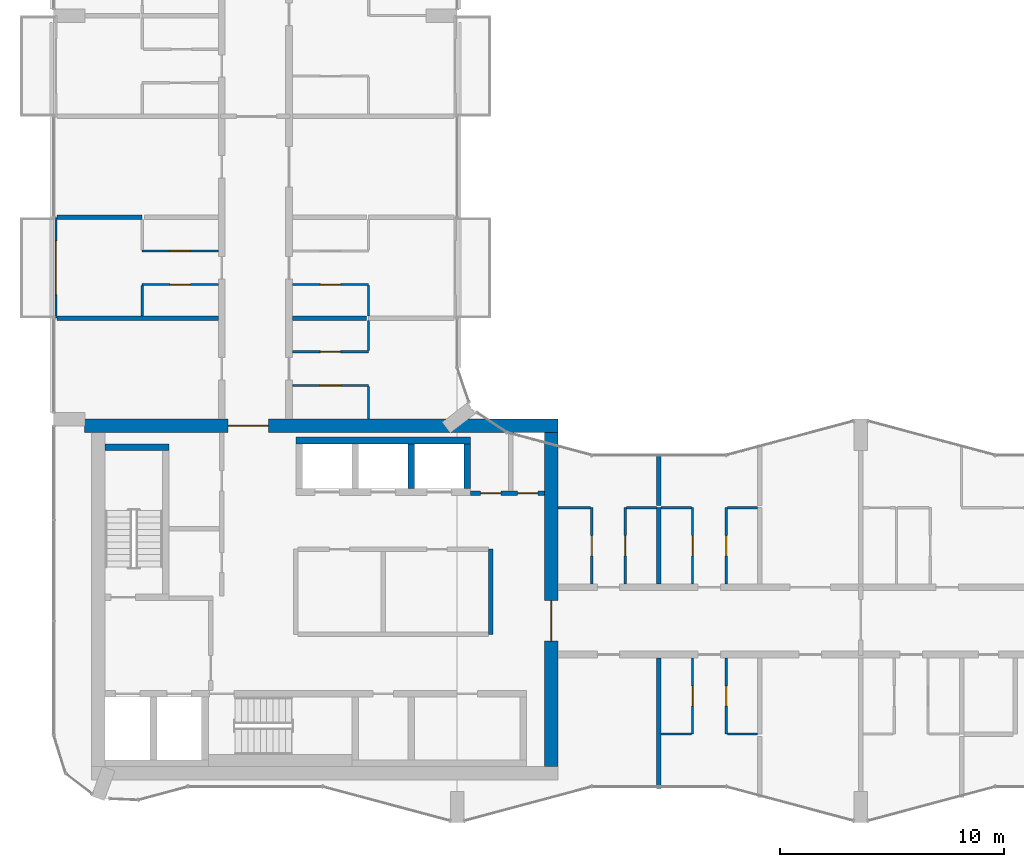
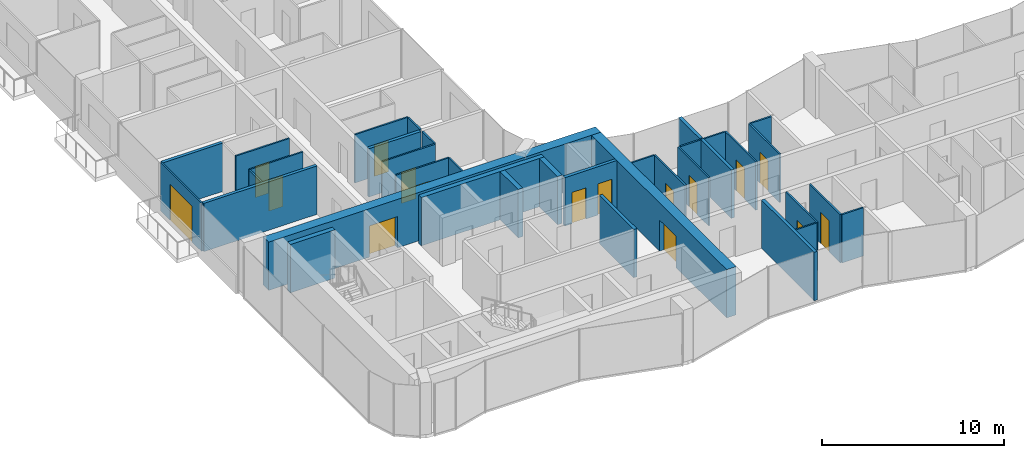
# One storey, part 10 of 16: 36 walls, 16 doors, 16 openings.
"""IFC4 building model written with IfcOpenShell, lengths in metres."""

from ifc_helpers import new_model, si_unit, direction, frame, frame_2d, origin, place, context, subcontext, project, spatial, rectangle, extrude, material, layer, layer_set, type_object, element, fill, save


model = new_model("IFC4")

# Units and contexts
model_context = context("Model", 3, precision=1e-05, world=origin(), true_north=direction((0.0, 1.0)))
body_context = subcontext(model_context, "Body", "Model", "MODEL_VIEW")
ifc_project = project(units=[si_unit("LENGTHUNIT", "METRE"), si_unit("AREAUNIT", "SQUARE_METRE"), si_unit("VOLUMEUNIT", "CUBIC_METRE"), si_unit("PLANEANGLEUNIT", "RADIAN"), si_unit("MASSUNIT", "GRAM", prefix="KILO")], contexts=[model_context])

# Site, building, storey
site_placement = place(None, origin())
site = spatial("IfcSite", under=ifc_project, at=site_placement, CompositionType="ELEMENT")
building_placement = place(site_placement, origin())
building = spatial("IfcBuilding", under=site, at=building_placement, Name="Plateau Cross Towers", CompositionType="ELEMENT")
storey_placement = place(building_placement, frame((0.0, 0.0, 163.89990234375)))
storey = spatial("IfcBuildingStorey", under=building, at=storey_placement, Name="L42", CompositionType="ELEMENT", Elevation=163.89990234375)

# Wall, opening, door
ifc_material_1 = material(Name="Aluminium framed glazing", Category="aluminium")
ifc_layer_1 = layer(ifc_material_1, 0.10009765625)
ifc_layer_set_1 = layer_set([ifc_layer_1], Name="Aluminium framed glazing")
wall_type_1 = type_object("IfcWallType", Name="Balcony screen wall 100", PredefinedType="STANDARD", material=ifc_layer_set_1)
wall_1_placement = place(storey_placement, frame((0.10009765625, 22.5, 0.0), z_axis=(0.0, 0.0, 1.0), x_axis=(0.0, 1.0, 0.0)))
wall_1 = element("IfcWall", 1, at=wall_1_placement, inside=storey, type_object=wall_type_1, Name="Balcony screen wall A-BAL-L42-01", PredefinedType="STANDARD", context=body_context, shape_type="SweptSolid", body=[
    extrude(rectangle(XDim=4.5, YDim=0.10009765625, at=frame_2d((2.25, 0.0))), origin(), (0.0, 0.0, 1.0), 3.25),
])
opening_1_placement = place(wall_1_placement, frame((1.050048828125, 0.0, 0.0)))
opening_1 = element("IfcOpeningElement", 2, at=opening_1_placement, cuts=wall_1, Name="Opening D-B24", PredefinedType="OPENING", context=body_context, shape_type="SweptSolid", body=[
    extrude(rectangle(XDim=2.39990234375, YDim=2.39990234375, at=frame_2d((1.199951171875, 1.199951171875))), frame((0.0, 0.06005859375, 0.0), z_axis=(0.0, -1.0, 0.0), x_axis=(1.0, 0.0, 0.0)), (0.0, 0.0, 1.0), 0.1201171875),
])
ifc_material_2 = material(Name="Aluminium frame, double glazing", Category="aluminium")
door_type_1 = type_object("IfcDoorType", Name="Balcony sliding door 2400", OperationType="NOTDEFINED", PredefinedType="DOOR", material=ifc_material_2)
door_1_placement = place(opening_1_placement, origin())
door_1 = element("IfcDoor", 3, at=door_1_placement, inside=storey, type_object=door_type_1, Name="Balcony door A-BAL-L42-01", OperationType="SINGLE_SWING_LEFT", OverallHeight=2.39990234375, OverallWidth=2.39990234375, PredefinedType="DOOR", context=body_context, shape_type="SweptSolid", body=[
    extrude(rectangle(XDim=2.39990234375, YDim=2.39990234375, at=frame_2d((1.199951171875, 1.199951171875))), frame((0.0, 0.02490234375, 0.0), z_axis=(0.0, -1.0, 0.0), x_axis=(1.0, 0.0, 0.0)), (0.0, 0.0, 1.0), 0.050048828125),
])
fill(opening_1, door_1)

# Wall
ifc_material_3 = material(Name="Concrete block, plastered both sides", Category="concrete")
ifc_layer_2 = layer(ifc_material_3, 0.199951171875)
ifc_layer_set_2 = layer_set([ifc_layer_2], Name="Concrete block, plastered both sides")
wall_type_2 = type_object("IfcWallType", Name="Core partition 200", PredefinedType="PARTITIONING", material=ifc_layer_set_2)
wall_2_placement = place(storey_placement, frame((19.5, 8.39990234375, 0.0), z_axis=(0.0, 0.0, 1.0), x_axis=(0.0, 1.0, 0.0)))
element("IfcWall", 4, at=wall_2_placement, inside=storey, type_object=wall_type_2, Name="Core partition", PredefinedType="PARTITIONING", context=body_context, shape_type="SweptSolid", body=[
    extrude(rectangle(XDim=3.800048828125, YDim=0.199951171875, at=frame_2d((1.89990234375, 0.0))), origin(), (0.0, 0.0, 1.0), 3.25),
])

# Wall, openings, doors
wall_3_placement = place(storey_placement, frame((18.60009765625, 14.699951171875, 0.0), z_axis=(0.0, 0.0, 1.0), x_axis=(1.0, 0.0, 0.0)))
wall_3 = element("IfcWall", 5, at=wall_3_placement, inside=storey, type_object=wall_type_2, Name="Core partition", PredefinedType="PARTITIONING", context=body_context, shape_type="SweptSolid", body=[
    extrude(rectangle(XDim=3.2998046875, YDim=0.199951171875, at=frame_2d((1.64990234375, 0.0))), origin(), (0.0, 0.0, 1.0), 3.25),
])
opening_2_placement = place(wall_3_placement, frame((0.449951171875, 0.0, 0.0)))
opening_2 = element("IfcOpeningElement", 6, at=opening_2_placement, cuts=wall_3, Name="Opening RD2", PredefinedType="OPENING", context=body_context, shape_type="SweptSolid", body=[
    extrude(rectangle(XDim=0.89990234375, YDim=2.10009765625, at=frame_2d((0.449951171875, 1.050048828125))), frame((0.0, 0.10986328125, 0.0), z_axis=(0.0, -1.0, 0.0), x_axis=(1.0, 0.0, 0.0)), (0.0, 0.0, 1.0), 0.219970703125),
])
opening_3_placement = place(wall_3_placement, frame((2.10009765625, 0.0, 0.0)))
opening_3 = element("IfcOpeningElement", 7, at=opening_3_placement, cuts=wall_3, Name="Opening RD2", PredefinedType="OPENING", context=body_context, shape_type="SweptSolid", body=[
    extrude(rectangle(XDim=0.89990234375, YDim=2.10009765625, at=frame_2d((0.449951171875, 1.050048828125))), frame((0.0, 0.10986328125, 0.0), z_axis=(0.0, -1.0, 0.0), x_axis=(1.0, 0.0, 0.0)), (0.0, 0.0, 1.0), 0.219970703125),
])
ifc_material_4 = material(Name="Steel, fire-resisting leaf", Category="steel")
door_type_2 = type_object("IfcDoorType", Name="Core riser door 900", OperationType="NOTDEFINED", PredefinedType="DOOR", material=ifc_material_4)
door_2_placement = place(opening_2_placement, origin())
door_2 = element("IfcDoor", 8, at=door_2_placement, inside=storey, type_object=door_type_2, Name="Core riser door RD2", OperationType="SINGLE_SWING_LEFT", OverallHeight=2.10009765625, OverallWidth=0.89990234375, PredefinedType="DOOR", context=body_context, shape_type="SweptSolid", body=[
    extrude(rectangle(XDim=0.89990234375, YDim=2.10009765625, at=frame_2d((0.449951171875, 1.050048828125))), frame((0.0, 0.02490234375, 0.0), z_axis=(0.0, -1.0, 0.0), x_axis=(1.0, 0.0, 0.0)), (0.0, 0.0, 1.0), 0.050048828125),
])
fill(opening_2, door_2)
door_3_placement = place(opening_3_placement, origin())
door_3 = element("IfcDoor", 9, at=door_3_placement, inside=storey, type_object=door_type_2, Name="Core riser door RD2", OperationType="SINGLE_SWING_LEFT", OverallHeight=2.10009765625, OverallWidth=0.89990234375, PredefinedType="DOOR", context=body_context, shape_type="SweptSolid", body=[
    extrude(rectangle(XDim=0.89990234375, YDim=2.10009765625, at=frame_2d((0.449951171875, 1.050048828125))), frame((0.0, 0.02490234375, 0.0), z_axis=(0.0, -1.0, 0.0), x_axis=(1.0, 0.0, 0.0)), (0.0, 0.0, 1.0), 0.050048828125),
])
fill(opening_3, door_3)

# Walls
ifc_material_5 = material(Name="Concrete C60/75", Category="concrete")
ifc_layer_3 = layer(ifc_material_5, 0.300048828125)
ifc_layer_set_3 = layer_set([ifc_layer_3], Name="Concrete C60/75")
wall_type_3 = type_object("IfcWallType", Name="Core shaft wall 300", PredefinedType="SHEAR", material=ifc_layer_set_3)
wall_4_placement = place(storey_placement, frame((2.300048828125, 16.75, 0.0), z_axis=(0.0, 0.0, 1.0), x_axis=(1.0, 0.0, 0.0)))
element("IfcWall", 10, at=wall_4_placement, inside=storey, type_object=wall_type_3, Name="A-st1-N@L42", PredefinedType="SHEAR", context=body_context, shape_type="SweptSolid", body=[
    extrude(rectangle(XDim=2.849853515625, YDim=0.300048828125, at=frame_2d((1.4248046875, 0.0))), origin(), (0.0, 0.0, 1.0), 3.25),
])
wall_5_placement = place(storey_placement, frame((10.800048828125, 17.050048828125, 0.0), z_axis=(0.0, 0.0, 1.0), x_axis=(1.0, 0.0, 0.0)))
element("IfcWall", 11, at=wall_5_placement, inside=storey, type_object=wall_type_3, Name="A-nb-back@L42", PredefinedType="SHEAR", context=body_context, shape_type="SweptSolid", body=[
    extrude(rectangle(XDim=7.800048828125, YDim=0.300048828125, at=frame_2d((3.89990234375, 0.0))), origin(), (0.0, 0.0, 1.0), 3.25),
])
for number, where, z_axis, x_axis, name in (
    (12, (15.949951171875, 14.89990234375, 0.0), (0.0, 0.0, 1.0), (0.0, 1.0, 0.0), "A-nb-v3@L42"),
    (13, (18.449951171875, 14.89990234375, 0.0), (0.0, 0.0, 1.0), (0.0, 1.0, 0.0), "A-nb-v4@L42"),
):
    element("IfcWall", number, at=place(storey_placement, frame(where, z_axis=z_axis, x_axis=x_axis)), inside=storey, type_object=wall_type_3, Name=name, PredefinedType="SHEAR", context=body_context, shape_type="SweptSolid", body=[
        extrude(rectangle(XDim=2.0, YDim=0.300048828125, at=frame_2d((1.0, 0.0))), origin(), (0.0, 0.0, 1.0), 3.25),
    ])

# Wall, opening, door
ifc_layer_4 = layer(ifc_material_5, 0.60009765625)
ifc_layer_set_4 = layer_set([ifc_layer_4], Name="Concrete C60/75")
wall_type_4 = type_object("IfcWallType", Name="Core shell wall 600", PredefinedType="SHEAR", material=ifc_layer_set_4)
wall_6_placement = place(storey_placement, frame((1.3798828125, 17.699951171875, 0.0), z_axis=(0.0, 0.0, 1.0), x_axis=(1.0, 0.0, 0.0)))
wall_6 = element("IfcWall", 14, at=wall_6_placement, inside=storey, type_object=wall_type_4, Name="A-core-N@L42", PredefinedType="SHEAR", context=body_context, shape_type="SweptSolid", body=[
    extrude(rectangle(XDim=21.1201171875, YDim=0.60009765625, at=frame_2d((10.56005859375, 0.0))), origin(), (0.0, 0.0, 1.0), 3.25),
])
opening_4_placement = place(wall_6_placement, frame((6.39990234375, 0.0, 0.0)))
opening_4 = element("IfcOpeningElement", 15, at=opening_4_placement, cuts=wall_6, Name="Opening CD", PredefinedType="OPENING", context=body_context, shape_type="SweptSolid", body=[
    extrude(rectangle(XDim=1.800048828125, YDim=2.10009765625, at=frame_2d((0.89990234375, 1.050048828125))), frame((0.0, 0.31005859375, 0.0), z_axis=(0.0, -1.0, 0.0), x_axis=(1.0, 0.0, 0.0)), (0.0, 0.0, 1.0), 0.6201171875),
])
ifc_material_6 = material(Name="Steel, fire-resisting leaves", Category="steel")
door_type_3 = type_object("IfcDoorType", Name="Corridor door pair 1800", OperationType="NOTDEFINED", PredefinedType="DOOR", material=ifc_material_6)
door_4_placement = place(opening_4_placement, origin())
door_4 = element("IfcDoor", 16, at=door_4_placement, inside=storey, type_object=door_type_3, Name="Corridor door pair CD", OperationType="DOUBLE_DOOR_SINGLE_SWING", OverallHeight=2.10009765625, OverallWidth=1.800048828125, PredefinedType="DOOR", context=body_context, shape_type="SweptSolid", body=[
    extrude(rectangle(XDim=1.800048828125, YDim=2.10009765625, at=frame_2d((0.89990234375, 1.050048828125))), frame((0.0, 0.02490234375, 0.0), z_axis=(0.0, -1.0, 0.0), x_axis=(1.0, 0.0, 0.0)), (0.0, 0.0, 1.0), 0.050048828125),
])
fill(opening_4, door_4)

wall_7_placement = place(storey_placement, frame((22.199951171875, 2.5, 0.0), z_axis=(0.0, 0.0, 1.0), x_axis=(0.0, 1.0, 0.0)))
wall_7 = element("IfcWall", 17, at=wall_7_placement, inside=storey, type_object=wall_type_4, Name="A-core-E@L42", PredefinedType="SHEAR", context=body_context, shape_type="SweptSolid", body=[
    extrude(rectangle(XDim=14.89990234375, YDim=0.60009765625, at=frame_2d((7.449951171875, 0.0))), origin(), (0.0, 0.0, 1.0), 3.25),
])
opening_5_placement = place(wall_7_placement, frame((5.60009765625, 0.0, 0.0)))
opening_5 = element("IfcOpeningElement", 18, at=opening_5_placement, cuts=wall_7, Name="Opening CD", PredefinedType="OPENING", context=body_context, shape_type="SweptSolid", body=[
    extrude(rectangle(XDim=1.800048828125, YDim=2.10009765625, at=frame_2d((0.89990234375, 1.050048828125))), frame((0.0, 0.31005859375, 0.0), z_axis=(0.0, -1.0, 0.0), x_axis=(1.0, 0.0, 0.0)), (0.0, 0.0, 1.0), 0.6201171875),
])
door_5_placement = place(opening_5_placement, origin())
door_5 = element("IfcDoor", 19, at=door_5_placement, inside=storey, type_object=door_type_3, Name="Corridor door pair CD", OperationType="DOUBLE_DOOR_SINGLE_SWING", OverallHeight=2.10009765625, OverallWidth=1.800048828125, PredefinedType="DOOR", context=body_context, shape_type="SweptSolid", body=[
    extrude(rectangle(XDim=1.800048828125, YDim=2.10009765625, at=frame_2d((0.89990234375, 1.050048828125))), frame((0.0, 0.02490234375, 0.0), z_axis=(0.0, -1.0, 0.0), x_axis=(1.0, 0.0, 0.0)), (0.0, 0.0, 1.0), 0.050048828125),
])
fill(opening_5, door_5)

# Walls
ifc_material_7 = material(Name="Gypsum board on steel studs", Category="steel")
ifc_layer_5 = layer(ifc_material_7, 0.10009765625)
ifc_layer_set_5 = layer_set([ifc_layer_5], Name="Gypsum board on steel studs")
wall_type_5 = type_object("IfcWallType", Name="Flat partition 100", PredefinedType="PARTITIONING", material=ifc_layer_set_5)
for number, where, z_axis, x_axis, name in (
    (20, (27.10009765625, 3.949951171875, 0.0), (0.0, 0.0, 1.0), (1.0, 0.0, 0.0), "Partition wall"),
    (21, (30.050048828125, 3.949951171875, 0.0), (0.0, 0.0, 1.0), (1.0, 0.0, 0.0), "Partition wall"),
):
    element("IfcWall", number, at=place(storey_placement, frame(where, z_axis=z_axis, x_axis=x_axis)), inside=storey, type_object=wall_type_5, Name=name, PredefinedType="PARTITIONING", context=body_context, shape_type="SweptSolid", body=[
        extrude(rectangle(XDim=1.349853515625, YDim=0.10009765625, at=frame_2d((0.6748046875, 0.0))), origin(), (0.0, 0.0, 1.0), 3.25),
    ])
wall_8_placement = place(storey_placement, frame((23.949951171875, 14.050048828125, 0.0), z_axis=(0.0, 0.0, 1.0), x_axis=(-1.0, 0.0, 0.0)))
element("IfcWall", 22, at=wall_8_placement, inside=storey, type_object=wall_type_5, Name="Partition wall", PredefinedType="PARTITIONING", context=body_context, shape_type="SweptSolid", body=[
    extrude(rectangle(XDim=1.449951171875, YDim=0.10009765625, at=frame_2d((0.72509765625, 0.0))), origin(), (0.0, 0.0, 1.0), 3.25),
])
for number, where, z_axis, x_axis, name in (
    (23, (26.89990234375, 14.050048828125, 0.0), (0.0, 0.0, 1.0), (-1.0, 0.0, 0.0), "Partition wall"),
    (24, (28.449951171875, 14.050048828125, 0.0), (0.0, 0.0, 1.0), (-1.0, 0.0, 0.0), "Partition wall"),
    (25, (31.39990234375, 14.050048828125, 0.0), (0.0, 0.0, 1.0), (-1.0, 0.0, 0.0), "Partition wall"),
):
    element("IfcWall", number, at=place(storey_placement, frame(where, z_axis=z_axis, x_axis=x_axis)), inside=storey, type_object=wall_type_5, Name=name, PredefinedType="PARTITIONING", context=body_context, shape_type="SweptSolid", body=[
        extrude(rectangle(XDim=1.349853515625, YDim=0.10009765625, at=frame_2d((0.6748046875, 0.0))), origin(), (0.0, 0.0, 1.0), 3.25),
    ])

# Wall, opening, door
wall_9_placement = place(storey_placement, frame((14.050048828125, 19.5, 0.0), z_axis=(0.0, 0.0, 1.0), x_axis=(-1.0, 0.0, 0.0)))
wall_9 = element("IfcWall", 26, at=wall_9_placement, inside=storey, type_object=wall_type_5, Name="Partition wall", PredefinedType="PARTITIONING", context=body_context, shape_type="SweptSolid", body=[
    extrude(rectangle(XDim=3.400146484375, YDim=0.10009765625, at=frame_2d((1.7001953125, 0.0))), origin(), (0.0, 0.0, 1.0), 3.25),
])
opening_6_placement = place(wall_9_placement, frame((1.25, 0.0, 0.0)))
opening_6 = element("IfcOpeningElement", 27, at=opening_6_placement, cuts=wall_9, Name="Opening 42-48", PredefinedType="OPENING", context=body_context, shape_type="SweptSolid", body=[
    extrude(rectangle(XDim=0.89990234375, YDim=2.10009765625, at=frame_2d((0.449951171875, 1.050048828125))), frame((0.0, 0.06005859375, 0.0), z_axis=(0.0, -1.0, 0.0), x_axis=(1.0, 0.0, 0.0)), (0.0, 0.0, 1.0), 0.1201171875),
])
ifc_material_8 = material(Name="Timber leaf", Category="wood")
door_type_4 = type_object("IfcDoorType", Name="Flat room door 900", OperationType="NOTDEFINED", PredefinedType="DOOR", material=ifc_material_8)
door_6_placement = place(opening_6_placement, origin())
door_6 = element("IfcDoor", 28, at=door_6_placement, inside=storey, type_object=door_type_4, Name="Door 42-48", OperationType="SINGLE_SWING_LEFT", OverallHeight=2.10009765625, OverallWidth=0.89990234375, PredefinedType="DOOR", context=body_context, shape_type="SweptSolid", body=[
    extrude(rectangle(XDim=0.89990234375, YDim=2.10009765625, at=frame_2d((0.449951171875, 1.050048828125))), frame((0.0, 0.02490234375, 0.0), z_axis=(0.0, -1.0, 0.0), x_axis=(1.0, 0.0, 0.0)), (0.0, 0.0, 1.0), 0.050048828125),
])
fill(opening_6, door_6)

wall_10_placement = place(storey_placement, frame((10.64990234375, 21.0, 0.0), z_axis=(0.0, 0.0, 1.0), x_axis=(1.0, 0.0, 0.0)))
wall_10 = element("IfcWall", 29, at=wall_10_placement, inside=storey, type_object=wall_type_5, Name="Partition wall", PredefinedType="PARTITIONING", context=body_context, shape_type="SweptSolid", body=[
    extrude(rectangle(XDim=3.400146484375, YDim=0.10009765625, at=frame_2d((1.7001953125, 0.0))), origin(), (0.0, 0.0, 1.0), 3.25),
])
opening_7_placement = place(wall_10_placement, frame((1.25, 0.0, 0.0)))
opening_7 = element("IfcOpeningElement", 30, at=opening_7_placement, cuts=wall_10, Name="Opening 42-49", PredefinedType="OPENING", context=body_context, shape_type="SweptSolid", body=[
    extrude(rectangle(XDim=0.89990234375, YDim=2.10009765625, at=frame_2d((0.449951171875, 1.050048828125))), frame((0.0, 0.06005859375, 0.0), z_axis=(0.0, -1.0, 0.0), x_axis=(1.0, 0.0, 0.0)), (0.0, 0.0, 1.0), 0.1201171875),
])
door_7_placement = place(opening_7_placement, origin())
door_7 = element("IfcDoor", 31, at=door_7_placement, inside=storey, type_object=door_type_4, Name="Door 42-49", OperationType="SINGLE_SWING_LEFT", OverallHeight=2.10009765625, OverallWidth=0.89990234375, PredefinedType="DOOR", context=body_context, shape_type="SweptSolid", body=[
    extrude(rectangle(XDim=0.89990234375, YDim=2.10009765625, at=frame_2d((0.449951171875, 1.050048828125))), frame((0.0, 0.02490234375, 0.0), z_axis=(0.0, -1.0, 0.0), x_axis=(1.0, 0.0, 0.0)), (0.0, 0.0, 1.0), 0.050048828125),
])
fill(opening_7, door_7)

wall_11_placement = place(storey_placement, frame((7.35009765625, 24.0, 0.0), z_axis=(0.0, 0.0, 1.0), x_axis=(-1.0, 0.0, 0.0)))
wall_11 = element("IfcWall", 32, at=wall_11_placement, inside=storey, type_object=wall_type_5, Name="Partition wall", PredefinedType="PARTITIONING", context=body_context, shape_type="SweptSolid", body=[
    extrude(rectangle(XDim=3.400146484375, YDim=0.10009765625, at=frame_2d((1.7001953125, 0.0))), origin(), (0.0, 0.0, 1.0), 3.25),
])
opening_8_placement = place(wall_11_placement, frame((1.25, 0.0, 0.0)))
opening_8 = element("IfcOpeningElement", 33, at=opening_8_placement, cuts=wall_11, Name="Opening 42-39", PredefinedType="OPENING", context=body_context, shape_type="SweptSolid", body=[
    extrude(rectangle(XDim=0.89990234375, YDim=2.10009765625, at=frame_2d((0.449951171875, 1.050048828125))), frame((0.0, 0.06005859375, 0.0), z_axis=(0.0, -1.0, 0.0), x_axis=(1.0, 0.0, 0.0)), (0.0, 0.0, 1.0), 0.1201171875),
])
door_8_placement = place(opening_8_placement, origin())
door_8 = element("IfcDoor", 34, at=door_8_placement, inside=storey, type_object=door_type_4, Name="Door 42-39", OperationType="SINGLE_SWING_RIGHT", OverallHeight=2.10009765625, OverallWidth=0.89990234375, PredefinedType="DOOR", context=body_context, shape_type="SweptSolid", body=[
    extrude(rectangle(XDim=0.89990234375, YDim=2.10009765625, at=frame_2d((0.449951171875, 1.050048828125))), frame((0.0, 0.02490234375, 0.0), z_axis=(0.0, -1.0, 0.0), x_axis=(1.0, 0.0, 0.0)), (0.0, 0.0, 1.0), 0.050048828125),
])
fill(opening_8, door_8)

wall_12_placement = place(storey_placement, frame((14.050048828125, 24.0, 0.0), z_axis=(0.0, 0.0, 1.0), x_axis=(-1.0, 0.0, 0.0)))
wall_12 = element("IfcWall", 35, at=wall_12_placement, inside=storey, type_object=wall_type_5, Name="Partition wall", PredefinedType="PARTITIONING", context=body_context, shape_type="SweptSolid", body=[
    extrude(rectangle(XDim=3.400146484375, YDim=0.10009765625, at=frame_2d((1.7001953125, 0.0))), origin(), (0.0, 0.0, 1.0), 3.25),
])
opening_9_placement = place(wall_12_placement, frame((1.25, 0.0, 0.0)))
opening_9 = element("IfcOpeningElement", 36, at=opening_9_placement, cuts=wall_12, Name="Opening 42-50", PredefinedType="OPENING", context=body_context, shape_type="SweptSolid", body=[
    extrude(rectangle(XDim=0.89990234375, YDim=2.10009765625, at=frame_2d((0.449951171875, 1.050048828125))), frame((0.0, 0.06005859375, 0.0), z_axis=(0.0, -1.0, 0.0), x_axis=(1.0, 0.0, 0.0)), (0.0, 0.0, 1.0), 0.1201171875),
])
door_9_placement = place(opening_9_placement, origin())
door_9 = element("IfcDoor", 37, at=door_9_placement, inside=storey, type_object=door_type_4, Name="Door 42-50", OperationType="SINGLE_SWING_LEFT", OverallHeight=2.10009765625, OverallWidth=0.89990234375, PredefinedType="DOOR", context=body_context, shape_type="SweptSolid", body=[
    extrude(rectangle(XDim=0.89990234375, YDim=2.10009765625, at=frame_2d((0.449951171875, 1.050048828125))), frame((0.0, 0.02490234375, 0.0), z_axis=(0.0, -1.0, 0.0), x_axis=(1.0, 0.0, 0.0)), (0.0, 0.0, 1.0), 0.050048828125),
])
fill(opening_9, door_9)

wall_13_placement = place(storey_placement, frame((3.949951171875, 25.5, 0.0), z_axis=(0.0, 0.0, 1.0), x_axis=(1.0, 0.0, 0.0)))
wall_13 = element("IfcWall", 38, at=wall_13_placement, inside=storey, type_object=wall_type_5, Name="Partition wall", PredefinedType="PARTITIONING", context=body_context, shape_type="SweptSolid", body=[
    extrude(rectangle(XDim=3.400146484375, YDim=0.10009765625, at=frame_2d((1.7001953125, 0.0))), origin(), (0.0, 0.0, 1.0), 3.25),
])
opening_10_placement = place(wall_13_placement, frame((1.25, 0.0, 0.0)))
opening_10 = element("IfcOpeningElement", 39, at=opening_10_placement, cuts=wall_13, Name="Opening 42-40", PredefinedType="OPENING", context=body_context, shape_type="SweptSolid", body=[
    extrude(rectangle(XDim=0.89990234375, YDim=2.10009765625, at=frame_2d((0.449951171875, 1.050048828125))), frame((0.0, 0.06005859375, 0.0), z_axis=(0.0, -1.0, 0.0), x_axis=(1.0, 0.0, 0.0)), (0.0, 0.0, 1.0), 0.1201171875),
])
door_10_placement = place(opening_10_placement, origin())
door_10 = element("IfcDoor", 40, at=door_10_placement, inside=storey, type_object=door_type_4, Name="Door 42-40", OperationType="SINGLE_SWING_RIGHT", OverallHeight=2.10009765625, OverallWidth=0.89990234375, PredefinedType="DOOR", context=body_context, shape_type="SweptSolid", body=[
    extrude(rectangle(XDim=0.89990234375, YDim=2.10009765625, at=frame_2d((0.449951171875, 1.050048828125))), frame((0.0, 0.02490234375, 0.0), z_axis=(0.0, -1.0, 0.0), x_axis=(1.0, 0.0, 0.0)), (0.0, 0.0, 1.0), 0.050048828125),
])
fill(opening_10, door_10)

# Walls
wall_14_placement = place(storey_placement, frame((3.949951171875, 23.949951171875, 0.0), z_axis=(0.0, 0.0, 1.0), x_axis=(0.0, -1.0, 0.0)))
element("IfcWall", 41, at=wall_14_placement, inside=storey, type_object=wall_type_5, Name="Partition wall", PredefinedType="PARTITIONING", context=body_context, shape_type="SweptSolid", body=[
    extrude(rectangle(XDim=1.349853515625, YDim=0.10009765625, at=frame_2d((0.6748046875, 0.0))), origin(), (0.0, 0.0, 1.0), 3.25),
])
wall_15_placement = place(storey_placement, frame((14.050048828125, 18.0, 0.0), z_axis=(0.0, 0.0, 1.0), x_axis=(0.0, 1.0, 0.0)))
element("IfcWall", 42, at=wall_15_placement, inside=storey, type_object=wall_type_5, Name="Partition wall", PredefinedType="PARTITIONING", context=body_context, shape_type="SweptSolid", body=[
    extrude(rectangle(XDim=1.449951171875, YDim=0.10009765625, at=frame_2d((0.72509765625, 0.0))), origin(), (0.0, 0.0, 1.0), 3.25),
])
for number, where, z_axis, x_axis, name in (
    (43, (14.050048828125, 21.050048828125, 0.0), (0.0, 0.0, 1.0), (0.0, 1.0, 0.0), "Partition wall"),
    (44, (14.050048828125, 22.60009765625, 0.0), (0.0, 0.0, 1.0), (0.0, 1.0, 0.0), "Partition wall"),
):
    element("IfcWall", number, at=place(storey_placement, frame(where, z_axis=z_axis, x_axis=x_axis)), inside=storey, type_object=wall_type_5, Name=name, PredefinedType="PARTITIONING", context=body_context, shape_type="SweptSolid", body=[
        extrude(rectangle(XDim=1.349853515625, YDim=0.10009765625, at=frame_2d((0.6748046875, 0.0))), origin(), (0.0, 0.0, 1.0), 3.25),
    ])

# Wall, opening, door
wall_16_placement = place(storey_placement, frame((24.0, 10.64990234375, 0.0), z_axis=(0.0, 0.0, 1.0), x_axis=(0.0, 1.0, 0.0)))
wall_16 = element("IfcWall", 45, at=wall_16_placement, inside=storey, type_object=wall_type_5, Name="Partition wall", PredefinedType="PARTITIONING", context=body_context, shape_type="SweptSolid", body=[
    extrude(rectangle(XDim=3.400146484375, YDim=0.10009765625, at=frame_2d((1.7001953125, 0.0))), origin(), (0.0, 0.0, 1.0), 3.25),
])
opening_11_placement = place(wall_16_placement, frame((1.25, 0.0, 0.0)))
opening_11 = element("IfcOpeningElement", 46, at=opening_11_placement, cuts=wall_16, Name="Opening 42-30", PredefinedType="OPENING", context=body_context, shape_type="SweptSolid", body=[
    extrude(rectangle(XDim=0.89990234375, YDim=2.10009765625, at=frame_2d((0.449951171875, 1.050048828125))), frame((0.0, 0.06005859375, 0.0), z_axis=(0.0, -1.0, 0.0), x_axis=(1.0, 0.0, 0.0)), (0.0, 0.0, 1.0), 0.1201171875),
])
door_11_placement = place(opening_11_placement, origin())
door_11 = element("IfcDoor", 47, at=door_11_placement, inside=storey, type_object=door_type_4, Name="Door 42-30", OperationType="SINGLE_SWING_LEFT", OverallHeight=2.10009765625, OverallWidth=0.89990234375, PredefinedType="DOOR", context=body_context, shape_type="SweptSolid", body=[
    extrude(rectangle(XDim=0.89990234375, YDim=2.10009765625, at=frame_2d((0.449951171875, 1.050048828125))), frame((0.0, 0.02490234375, 0.0), z_axis=(0.0, -1.0, 0.0), x_axis=(1.0, 0.0, 0.0)), (0.0, 0.0, 1.0), 0.050048828125),
])
fill(opening_11, door_11)

wall_17_placement = place(storey_placement, frame((25.5, 14.050048828125, 0.0), z_axis=(0.0, 0.0, 1.0), x_axis=(0.0, -1.0, 0.0)))
wall_17 = element("IfcWall", 48, at=wall_17_placement, inside=storey, type_object=wall_type_5, Name="Partition wall", PredefinedType="PARTITIONING", context=body_context, shape_type="SweptSolid", body=[
    extrude(rectangle(XDim=3.400146484375, YDim=0.10009765625, at=frame_2d((1.7001953125, 0.0))), origin(), (0.0, 0.0, 1.0), 3.25),
])
opening_12_placement = place(wall_17_placement, frame((1.25, 0.0, 0.0)))
opening_12 = element("IfcOpeningElement", 49, at=opening_12_placement, cuts=wall_17, Name="Opening 42-31", PredefinedType="OPENING", context=body_context, shape_type="SweptSolid", body=[
    extrude(rectangle(XDim=0.89990234375, YDim=2.10009765625, at=frame_2d((0.449951171875, 1.050048828125))), frame((0.0, 0.06005859375, 0.0), z_axis=(0.0, -1.0, 0.0), x_axis=(1.0, 0.0, 0.0)), (0.0, 0.0, 1.0), 0.1201171875),
])
door_12_placement = place(opening_12_placement, origin())
door_12 = element("IfcDoor", 50, at=door_12_placement, inside=storey, type_object=door_type_4, Name="Door 42-31", OperationType="SINGLE_SWING_LEFT", OverallHeight=2.10009765625, OverallWidth=0.89990234375, PredefinedType="DOOR", context=body_context, shape_type="SweptSolid", body=[
    extrude(rectangle(XDim=0.89990234375, YDim=2.10009765625, at=frame_2d((0.449951171875, 1.050048828125))), frame((0.0, 0.02490234375, 0.0), z_axis=(0.0, -1.0, 0.0), x_axis=(1.0, 0.0, 0.0)), (0.0, 0.0, 1.0), 0.050048828125),
])
fill(opening_12, door_12)

wall_18_placement = place(storey_placement, frame((28.5, 3.949951171875, 0.0), z_axis=(0.0, 0.0, 1.0), x_axis=(0.0, 1.0, 0.0)))
wall_18 = element("IfcWall", 51, at=wall_18_placement, inside=storey, type_object=wall_type_5, Name="Partition wall", PredefinedType="PARTITIONING", context=body_context, shape_type="SweptSolid", body=[
    extrude(rectangle(XDim=3.400146484375, YDim=0.10009765625, at=frame_2d((1.7001953125, 0.0))), origin(), (0.0, 0.0, 1.0), 3.25),
])
opening_13_placement = place(wall_18_placement, frame((1.25, 0.0, 0.0)))
opening_13 = element("IfcOpeningElement", 52, at=opening_13_placement, cuts=wall_18, Name="Opening 42-26", PredefinedType="OPENING", context=body_context, shape_type="SweptSolid", body=[
    extrude(rectangle(XDim=0.89990234375, YDim=2.10009765625, at=frame_2d((0.449951171875, 1.050048828125))), frame((0.0, 0.06005859375, 0.0), z_axis=(0.0, -1.0, 0.0), x_axis=(1.0, 0.0, 0.0)), (0.0, 0.0, 1.0), 0.1201171875),
])
door_13_placement = place(opening_13_placement, origin())
door_13 = element("IfcDoor", 53, at=door_13_placement, inside=storey, type_object=door_type_4, Name="Door 42-26", OperationType="SINGLE_SWING_RIGHT", OverallHeight=2.10009765625, OverallWidth=0.89990234375, PredefinedType="DOOR", context=body_context, shape_type="SweptSolid", body=[
    extrude(rectangle(XDim=0.89990234375, YDim=2.10009765625, at=frame_2d((0.449951171875, 1.050048828125))), frame((0.0, 0.02490234375, 0.0), z_axis=(0.0, -1.0, 0.0), x_axis=(1.0, 0.0, 0.0)), (0.0, 0.0, 1.0), 0.050048828125),
])
fill(opening_13, door_13)

wall_19_placement = place(storey_placement, frame((28.5, 10.64990234375, 0.0), z_axis=(0.0, 0.0, 1.0), x_axis=(0.0, 1.0, 0.0)))
wall_19 = element("IfcWall", 54, at=wall_19_placement, inside=storey, type_object=wall_type_5, Name="Partition wall", PredefinedType="PARTITIONING", context=body_context, shape_type="SweptSolid", body=[
    extrude(rectangle(XDim=3.400146484375, YDim=0.10009765625, at=frame_2d((1.7001953125, 0.0))), origin(), (0.0, 0.0, 1.0), 3.25),
])
opening_14_placement = place(wall_19_placement, frame((1.25, 0.0, 0.0)))
opening_14 = element("IfcOpeningElement", 55, at=opening_14_placement, cuts=wall_19, Name="Opening 42-32", PredefinedType="OPENING", context=body_context, shape_type="SweptSolid", body=[
    extrude(rectangle(XDim=0.89990234375, YDim=2.10009765625, at=frame_2d((0.449951171875, 1.050048828125))), frame((0.0, 0.06005859375, 0.0), z_axis=(0.0, -1.0, 0.0), x_axis=(1.0, 0.0, 0.0)), (0.0, 0.0, 1.0), 0.1201171875),
])
door_14_placement = place(opening_14_placement, origin())
door_14 = element("IfcDoor", 56, at=door_14_placement, inside=storey, type_object=door_type_4, Name="Door 42-32", OperationType="SINGLE_SWING_LEFT", OverallHeight=2.10009765625, OverallWidth=0.89990234375, PredefinedType="DOOR", context=body_context, shape_type="SweptSolid", body=[
    extrude(rectangle(XDim=0.89990234375, YDim=2.10009765625, at=frame_2d((0.449951171875, 1.050048828125))), frame((0.0, 0.02490234375, 0.0), z_axis=(0.0, -1.0, 0.0), x_axis=(1.0, 0.0, 0.0)), (0.0, 0.0, 1.0), 0.050048828125),
])
fill(opening_14, door_14)

wall_20_placement = place(storey_placement, frame((30.0, 7.35009765625, 0.0), z_axis=(0.0, 0.0, 1.0), x_axis=(0.0, -1.0, 0.0)))
wall_20 = element("IfcWall", 57, at=wall_20_placement, inside=storey, type_object=wall_type_5, Name="Partition wall", PredefinedType="PARTITIONING", context=body_context, shape_type="SweptSolid", body=[
    extrude(rectangle(XDim=3.400146484375, YDim=0.10009765625, at=frame_2d((1.7001953125, 0.0))), origin(), (0.0, 0.0, 1.0), 3.25),
])
opening_15_placement = place(wall_20_placement, frame((1.25, 0.0, 0.0)))
opening_15 = element("IfcOpeningElement", 58, at=opening_15_placement, cuts=wall_20, Name="Opening 42-27", PredefinedType="OPENING", context=body_context, shape_type="SweptSolid", body=[
    extrude(rectangle(XDim=0.89990234375, YDim=2.10009765625, at=frame_2d((0.449951171875, 1.050048828125))), frame((0.0, 0.06005859375, 0.0), z_axis=(0.0, -1.0, 0.0), x_axis=(1.0, 0.0, 0.0)), (0.0, 0.0, 1.0), 0.1201171875),
])
door_15_placement = place(opening_15_placement, origin())
door_15 = element("IfcDoor", 59, at=door_15_placement, inside=storey, type_object=door_type_4, Name="Door 42-27", OperationType="SINGLE_SWING_RIGHT", OverallHeight=2.10009765625, OverallWidth=0.89990234375, PredefinedType="DOOR", context=body_context, shape_type="SweptSolid", body=[
    extrude(rectangle(XDim=0.89990234375, YDim=2.10009765625, at=frame_2d((0.449951171875, 1.050048828125))), frame((0.0, 0.02490234375, 0.0), z_axis=(0.0, -1.0, 0.0), x_axis=(1.0, 0.0, 0.0)), (0.0, 0.0, 1.0), 0.050048828125),
])
fill(opening_15, door_15)

wall_21_placement = place(storey_placement, frame((30.0, 14.050048828125, 0.0), z_axis=(0.0, 0.0, 1.0), x_axis=(0.0, -1.0, 0.0)))
wall_21 = element("IfcWall", 60, at=wall_21_placement, inside=storey, type_object=wall_type_5, Name="Partition wall", PredefinedType="PARTITIONING", context=body_context, shape_type="SweptSolid", body=[
    extrude(rectangle(XDim=3.400146484375, YDim=0.10009765625, at=frame_2d((1.7001953125, 0.0))), origin(), (0.0, 0.0, 1.0), 3.25),
])
opening_16_placement = place(wall_21_placement, frame((1.25, 0.0, 0.0)))
opening_16 = element("IfcOpeningElement", 61, at=opening_16_placement, cuts=wall_21, Name="Opening 42-33", PredefinedType="OPENING", context=body_context, shape_type="SweptSolid", body=[
    extrude(rectangle(XDim=0.89990234375, YDim=2.10009765625, at=frame_2d((0.449951171875, 1.050048828125))), frame((0.0, 0.06005859375, 0.0), z_axis=(0.0, -1.0, 0.0), x_axis=(1.0, 0.0, 0.0)), (0.0, 0.0, 1.0), 0.1201171875),
])
door_16_placement = place(opening_16_placement, origin())
door_16 = element("IfcDoor", 62, at=door_16_placement, inside=storey, type_object=door_type_4, Name="Door 42-33", OperationType="SINGLE_SWING_LEFT", OverallHeight=2.10009765625, OverallWidth=0.89990234375, PredefinedType="DOOR", context=body_context, shape_type="SweptSolid", body=[
    extrude(rectangle(XDim=0.89990234375, YDim=2.10009765625, at=frame_2d((0.449951171875, 1.050048828125))), frame((0.0, 0.02490234375, 0.0), z_axis=(0.0, -1.0, 0.0), x_axis=(1.0, 0.0, 0.0)), (0.0, 0.0, 1.0), 0.050048828125),
])
fill(opening_16, door_16)

# Walls
ifc_material_9 = material(Name="Gypsum board on steel studs, two layers each side", Category="steel")
ifc_layer_6 = layer(ifc_material_9, 0.199951171875)
ifc_layer_set_6 = layer_set([ifc_layer_6], Name="Gypsum board on steel studs, two layers each side")
wall_type_6 = type_object("IfcWallType", Name="Flat party wall 200", PredefinedType="PARTITIONING", material=ifc_layer_set_6)
wall_22_placement = place(storey_placement, frame((7.35009765625, 22.5, 0.0), z_axis=(0.0, 0.0, 1.0), x_axis=(-1.0, 0.0, 0.0)))
element("IfcWall", 63, at=wall_22_placement, inside=storey, type_object=wall_type_6, Name="Party wall", PredefinedType="PARTITIONING", context=body_context, shape_type="SweptSolid", body=[
    extrude(rectangle(XDim=7.2001953125, YDim=0.199951171875, at=frame_2d((3.60009765625, 0.0))), origin(), (0.0, 0.0, 1.0), 3.25),
])
wall_23_placement = place(storey_placement, frame((13.949951171875, 22.5, 0.0), z_axis=(0.0, 0.0, 1.0), x_axis=(-1.0, 0.0, 0.0)))
element("IfcWall", 64, at=wall_23_placement, inside=storey, type_object=wall_type_6, Name="Party wall", PredefinedType="PARTITIONING", context=body_context, shape_type="SweptSolid", body=[
    extrude(rectangle(XDim=3.300048828125, YDim=0.199951171875, at=frame_2d((1.64990234375, 0.0))), origin(), (0.0, 0.0, 1.0), 3.25),
])
wall_24_placement = place(storey_placement, frame((0.14990234375, 27.0, 0.0), z_axis=(0.0, 0.0, 1.0), x_axis=(1.0, 0.0, 0.0)))
element("IfcWall", 65, at=wall_24_placement, inside=storey, type_object=wall_type_6, Name="Party wall", PredefinedType="PARTITIONING", context=body_context, shape_type="SweptSolid", body=[
    extrude(rectangle(XDim=3.800048828125, YDim=0.199951171875, at=frame_2d((1.89990234375, 0.0))), origin(), (0.0, 0.0, 1.0), 3.25),
])
wall_25_placement = place(storey_placement, frame((27.0, 16.47314453125, 0.0), z_axis=(0.0, 0.0, 1.0), x_axis=(0.0, -1.0, 0.0)))
element("IfcWall", 66, at=wall_25_placement, inside=storey, type_object=wall_type_6, Name="Party wall", PredefinedType="PARTITIONING", context=body_context, shape_type="SweptSolid", body=[
    extrude(rectangle(XDim=2.3232421875, YDim=0.199951171875, at=frame_2d((1.16162109375, 0.0))), origin(), (0.0, 0.0, 1.0), 3.25),
])
wall_26_placement = place(storey_placement, frame((27.0, 1.52685546875, 0.0), z_axis=(0.0, 0.0, 1.0), x_axis=(0.0, 1.0, 0.0)))
element("IfcWall", 67, at=wall_26_placement, inside=storey, type_object=wall_type_6, Name="Party wall", PredefinedType="PARTITIONING", context=body_context, shape_type="SweptSolid", body=[
    extrude(rectangle(XDim=5.8232421875, YDim=0.199951171875, at=frame_2d((2.91162109375, 0.0))), origin(), (0.0, 0.0, 1.0), 3.25),
])
wall_27_placement = place(storey_placement, frame((27.0, 10.64990234375, 0.0), z_axis=(0.0, 0.0, 1.0), x_axis=(0.0, 1.0, 0.0)))
element("IfcWall", 68, at=wall_27_placement, inside=storey, type_object=wall_type_6, Name="Party wall", PredefinedType="PARTITIONING", context=body_context, shape_type="SweptSolid", body=[
    extrude(rectangle(XDim=3.400146484375, YDim=0.199951171875, at=frame_2d((1.7001953125, 0.0))), origin(), (0.0, 0.0, 1.0), 3.25),
])

save(model, "model.ifc")
